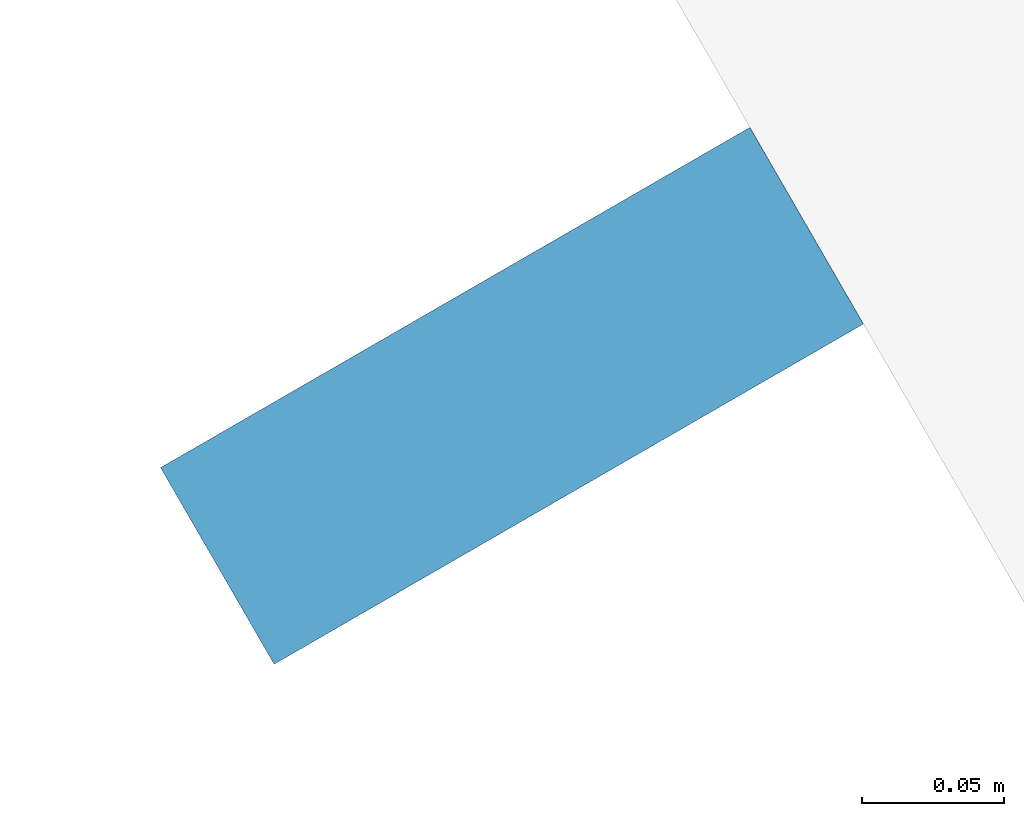
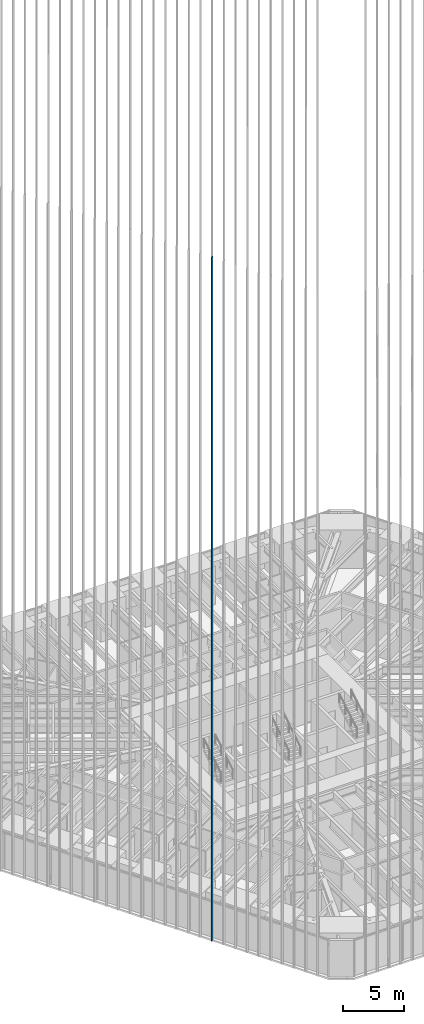
# One storey, part 6 of 256: 1 member, 1 element without a shape of its own.
"""IFC4 building model written with IfcOpenShell, lengths in metres."""

from ifc_helpers import new_model, si_unit, direction, frame, origin, origin_2d, place, context, subcontext, project, spatial, rectangle, extrude, material, material_profile, profile_set, type_object, element, aggregate, save


model = new_model("IFC4")

# Units and contexts
model_context = context("Model", 3, precision=1e-05, world=origin(), true_north=direction((0.0, 1.0)))
body_context = subcontext(model_context, "Body", "Model", "MODEL_VIEW")
ifc_project = project(units=[si_unit("LENGTHUNIT", "METRE"), si_unit("AREAUNIT", "SQUARE_METRE"), si_unit("VOLUMEUNIT", "CUBIC_METRE"), si_unit("PLANEANGLEUNIT", "RADIAN"), si_unit("MASSUNIT", "GRAM", prefix="KILO")], contexts=[model_context])

# Site, building, storey
site_placement = place(None, origin())
site = spatial("IfcSite", under=ifc_project, at=site_placement, CompositionType="ELEMENT")
building_placement = place(site_placement, origin())
building = spatial("IfcBuilding", under=site, at=building_placement, Name="Sandreach Pilgrim Tower", CompositionType="ELEMENT")
storey_placement = place(building_placement, frame((0.0, 0.0, 23.0)))
storey = spatial("IfcBuildingStorey", under=building, at=storey_placement, Name="L04", CompositionType="ELEMENT", Elevation=23.0)

# Curtain wall, member
ifc_material_1 = material(Name="Aluminium framed curtain wall", Category="aluminium")
curtain_wall_type = type_object("IfcCurtainWallType", Name="Hostel tower curtain wall", PredefinedType="NOTDEFINED", material=ifc_material_1)
curtain_wall_placement = place(storey_placement, origin())
curtain_wall = element("IfcCurtainWall", 1, at=curtain_wall_placement, inside=storey, type_object=curtain_wall_type, Name="CW-1 L04 SW", PredefinedType="NOTDEFINED")
ifc_material_2 = material(Name="Extruded terracotta on aluminium core", Category="masonry")
ifc_material_profile = material_profile(ifc_material_2, rectangle(XDim=0.080078125, YDim=0.239990234375, at=origin_2d()), Name="TBW 80X240")
ifc_profile_set = profile_set([ifc_material_profile], Name="Extruded terracotta on aluminium core")
member_type = type_object("IfcMemberType", Name="Terracotta baguette west", PredefinedType="USERDEFINED", material=ifc_profile_set)
member_placement = place(storey_placement, frame((-16.678466796875, -19.849365234375, 0.0), z_axis=(0.0, 0.0, 1.0), x_axis=(-0.5, 0.866025403784, 0.0)))
member = element("IfcMember", 2, at=member_placement, type_object=member_type, Name="Baguette Z1 SW10", ObjectType="BAGUETTE", PredefinedType="USERDEFINED", context=body_context, shape_type="SweptSolid", body=[
    extrude(rectangle(XDim=0.080078125, YDim=0.239990234375, at=origin_2d()), origin(), (0.0, 0.0, 1.0), 68.239990234375),
])
aggregate(curtain_wall, [member])

save(model, "model.ifc")
